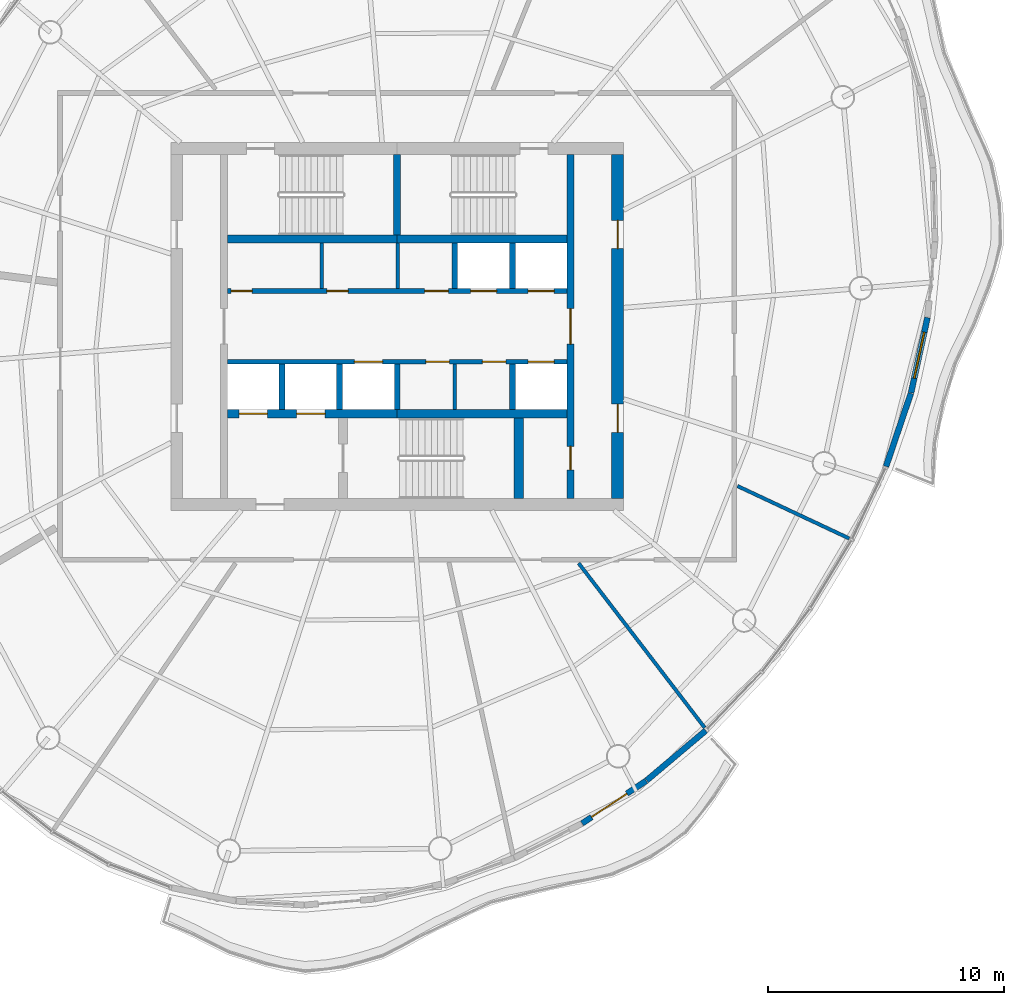
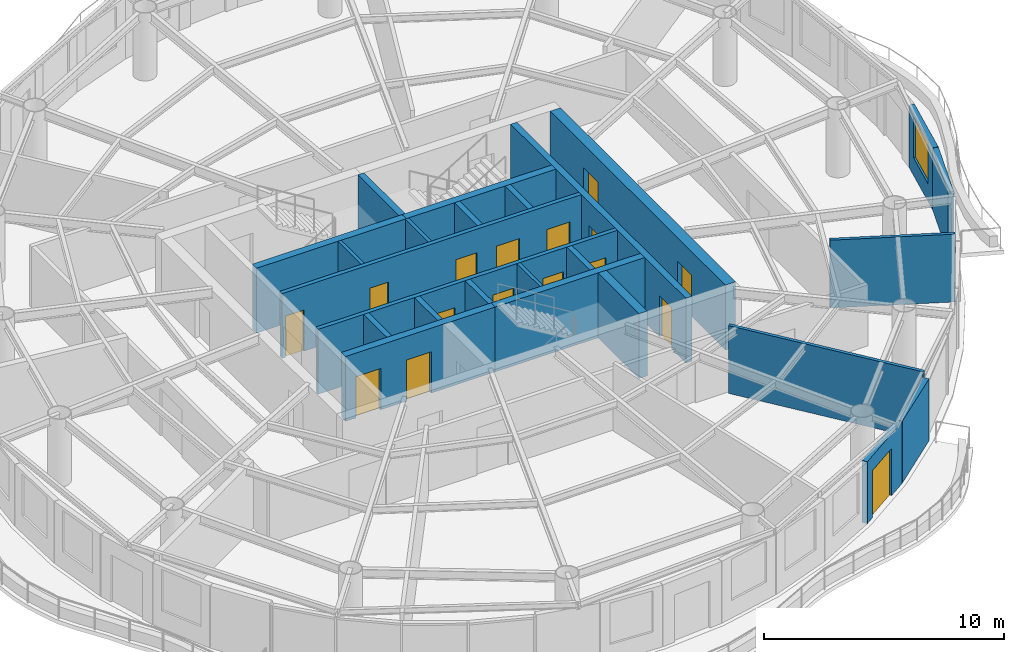
# One storey, part 9 of 14: 25 walls, 16 doors, 1 window, 17 openings.
"""IFC4 building model written with IfcOpenShell, lengths in metres."""

from ifc_helpers import new_model, si_unit, direction, frame, frame_2d, origin, place, context, subcontext, project, spatial, rectangle, extrude, material, layer, layer_set, type_object, element, fill, save


model = new_model("IFC4")

# Units and contexts
model_context = context("Model", 3, precision=1e-05, world=origin(), true_north=direction((0.0, 1.0)))
body_context = subcontext(model_context, "Body", "Model", "MODEL_VIEW")
ifc_project = project(units=[si_unit("LENGTHUNIT", "METRE"), si_unit("AREAUNIT", "SQUARE_METRE"), si_unit("VOLUMEUNIT", "CUBIC_METRE"), si_unit("PLANEANGLEUNIT", "RADIAN"), si_unit("MASSUNIT", "GRAM", prefix="KILO")], contexts=[model_context])

# Site, building, storey
site_placement = place(None, origin())
site = spatial("IfcSite", under=ifc_project, at=site_placement, CompositionType="ELEMENT")
building_placement = place(site_placement, origin())
building = spatial("IfcBuilding", under=site, at=building_placement, Name="Vermilion Reach Broadcast Tower", CompositionType="ELEMENT")
storey_placement = place(building_placement, frame((0.0, 0.0, 257.699951171875)))
storey = spatial("IfcBuildingStorey", under=building, at=storey_placement, Name="L63", CompositionType="ELEMENT", Elevation=257.699951171875)

# Wall, openings, doors
ifc_material_1 = material(Name="Concrete C50", Category="concrete")
ifc_layer_1 = layer(ifc_material_1, 0.300048828125)
ifc_layer_set_1 = layer_set([ifc_layer_1], Name="Core inner wall 300 mm Concrete C50")
wall_type_1 = type_object("IfcWallType", Name="Core inner wall 300 mm Concrete C50", PredefinedType="SHEAR", material=ifc_layer_set_1)
wall_1_placement = place(storey_placement, frame((1.35009765625, -7.300048828125, 0.0), z_axis=(0.0, 0.0, 1.0), x_axis=(0.0, 1.0, 0.0)))
wall_1 = element("IfcWall", 1, at=wall_1_placement, inside=storey, type_object=wall_type_1, Name="L63 core wall ewE", PredefinedType="SHEAR", context=body_context, shape_type="SweptSolid", body=[
    extrude(rectangle(XDim=14.60009765625, YDim=0.300048828125, at=frame_2d((7.300048828125, 0.0))), origin(), (0.0, 0.0, 1.0), 3.300048828125),
])
opening_1_placement = place(wall_1_placement, frame((1.2099609375, 0.0, 0.0)))
opening_1 = element("IfcOpeningElement", 2, at=opening_1_placement, cuts=wall_1, Name="Opening D05", PredefinedType="OPENING", context=body_context, shape_type="SweptSolid", body=[
    extrude(rectangle(XDim=1.0, YDim=2.10009765625, at=frame_2d((0.5, 1.050048828125))), frame((0.0, 0.159912109375, 0.0), z_axis=(0.0, -1.0, 0.0), x_axis=(1.0, 0.0, 0.0)), (0.0, 0.0, 1.0), 0.320068359375),
])
opening_2_placement = place(wall_1_placement, frame((6.550048828125, 0.0, 0.0)))
opening_2 = element("IfcOpeningElement", 3, at=opening_2_placement, cuts=wall_1, Name="Opening D04", PredefinedType="OPENING", context=body_context, shape_type="SweptSolid", body=[
    extrude(rectangle(XDim=1.5, YDim=2.10009765625, at=frame_2d((0.75, 1.050048828125))), frame((0.0, 0.159912109375, 0.0), z_axis=(0.0, -1.0, 0.0), x_axis=(1.0, 0.0, 0.0)), (0.0, 0.0, 1.0), 0.320068359375),
])
ifc_material_2 = material(Name="Painted steel fire door", Category="steel")
door_type_1 = type_object("IfcDoorType", Name="Lift lobby door 1500 x 2100", OperationType="DOUBLE_DOOR_SINGLE_SWING", PredefinedType="NOTDEFINED", material=ifc_material_2)
door_1_placement = place(opening_2_placement, origin())
door_1 = element("IfcDoor", 4, at=door_1_placement, inside=storey, type_object=door_type_1, Name="L63 band door BE", OperationType="DOUBLE_DOOR_SINGLE_SWING", OverallHeight=2.10009765625, OverallWidth=1.5, PredefinedType="NOTDEFINED", context=body_context, shape_type="SweptSolid", body=[
    extrude(rectangle(XDim=1.5, YDim=2.10009765625, at=frame_2d((0.75, 1.050048828125))), frame((0.0, 0.02490234375, 0.0), z_axis=(0.0, -1.0, 0.0), x_axis=(1.0, 0.0, 0.0)), (0.0, 0.0, 1.0), 0.050048828125),
])
fill(opening_2, door_1)
ifc_material_3 = material(Name="Timber door", Category="wood")
door_type_2 = type_object("IfcDoorType", Name="Room door 1000 x 2100", OperationType="NOTDEFINED", PredefinedType="NOTDEFINED", material=ifc_material_3)
door_2_placement = place(opening_1_placement, origin())
door_2 = element("IfcDoor", 5, at=door_2_placement, inside=storey, type_object=door_type_2, Name="L63 door SER", OperationType="SINGLE_SWING_LEFT", OverallHeight=2.10009765625, OverallWidth=1.0, PredefinedType="NOTDEFINED", context=body_context, shape_type="SweptSolid", body=[
    extrude(rectangle(XDim=1.0, YDim=2.10009765625, at=frame_2d((0.5, 1.050048828125))), frame((0.0, 0.02490234375, 0.0), z_axis=(0.0, -1.0, 0.0), x_axis=(1.0, 0.0, 0.0)), (0.0, 0.0, 1.0), 0.050048828125),
])
fill(opening_1, door_2)

# Walls
wall_2_placement = place(storey_placement, frame((-6.0, 3.8798828125, 0.0), z_axis=(0.0, 0.0, 1.0), x_axis=(0.0, 1.0, 0.0)))
element("IfcWall", 6, at=wall_2_placement, inside=storey, type_object=wall_type_1, Name="L63 core wall wc", PredefinedType="SHEAR", context=body_context, shape_type="SweptSolid", body=[
    extrude(rectangle(XDim=3.420166015625, YDim=0.300048828125, at=frame_2d((1.7099609375, 0.0))), origin(), (0.0, 0.0, 1.0), 3.300048828125),
])
ifc_material_4 = material(Name="Concrete C50", Category="concrete")
ifc_layer_2 = layer(ifc_material_4, 0.35009765625)
ifc_layer_set_2 = layer_set([ifc_layer_2], Name="Core inner wall 350 mm Concrete C50")
wall_type_2 = type_object("IfcWallType", Name="Core inner wall 350 mm Concrete C50", PredefinedType="SHEAR", material=ifc_layer_set_2)
for number, where, z_axis, x_axis, name in (
    (7, (-13.199951171875, 3.705078125, 0.0), (0.0, 0.0, 1.0), (1.0, 0.0, 0.0), "L63 core wall winW"),
    (8, (-6.0, 3.705078125, 0.0), (0.0, 0.0, 1.0), (1.0, 0.0, 0.0), "L63 core wall winE"),
):
    element("IfcWall", number, at=place(storey_placement, frame(where, z_axis=z_axis, x_axis=x_axis)), inside=storey, type_object=wall_type_2, Name=name, PredefinedType="SHEAR", context=body_context, shape_type="SweptSolid", body=[
        extrude(rectangle(XDim=7.199951171875, YDim=0.35009765625, at=frame_2d((3.60009765625, 0.0))), origin(), (0.0, 0.0, 1.0), 3.300048828125),
    ])

# Wall, openings, doors
wall_3_placement = place(storey_placement, frame((-13.199951171875, -3.705078125, 0.0), z_axis=(0.0, 0.0, 1.0), x_axis=(1.0, 0.0, 0.0)))
wall_3 = element("IfcWall", 9, at=wall_3_placement, inside=storey, type_object=wall_type_2, Name="L63 core wall wisW", PredefinedType="SHEAR", context=body_context, shape_type="SweptSolid", body=[
    extrude(rectangle(XDim=7.199951171875, YDim=0.35009765625, at=frame_2d((3.60009765625, 0.0))), origin(), (0.0, 0.0, 1.0), 3.300048828125),
])
opening_3_placement = place(wall_3_placement, frame((0.495849609375, 0.0, 0.0)))
opening_3 = element("IfcOpeningElement", 10, at=opening_3_placement, cuts=wall_3, Name="Opening LD1", PredefinedType="OPENING", context=body_context, shape_type="SweptSolid", body=[
    extrude(rectangle(XDim=1.199951171875, YDim=2.10009765625, at=frame_2d((0.60009765625, 1.050048828125))), frame((0.0, 0.18505859375, 0.0), z_axis=(0.0, -1.0, 0.0), x_axis=(1.0, 0.0, 0.0)), (0.0, 0.0, 1.0), 0.3701171875),
])
opening_4_placement = place(wall_3_placement, frame((2.9375, 0.0, 0.0)))
opening_4 = element("IfcOpeningElement", 11, at=opening_4_placement, cuts=wall_3, Name="Opening LD1", PredefinedType="OPENING", context=body_context, shape_type="SweptSolid", body=[
    extrude(rectangle(XDim=1.199951171875, YDim=2.10009765625, at=frame_2d((0.60009765625, 1.050048828125))), frame((0.0, 0.18505859375, 0.0), z_axis=(0.0, -1.0, 0.0), x_axis=(1.0, 0.0, 0.0)), (0.0, 0.0, 1.0), 0.3701171875),
])
ifc_material_5 = material(Name="Stainless steel", Category="steel")
door_type_3 = type_object("IfcDoorType", Name="Landing door 1200 x 2100", OperationType="DOUBLE_DOOR_SLIDING", PredefinedType="NOTDEFINED", material=ifc_material_5)
door_3_placement = place(opening_3_placement, origin())
door_3 = element("IfcDoor", 12, at=door_3_placement, inside=storey, type_object=door_type_3, Name="L63 landing door FF1", OperationType="DOUBLE_DOOR_SLIDING", OverallHeight=2.10009765625, OverallWidth=1.199951171875, PredefinedType="NOTDEFINED", context=body_context, shape_type="SweptSolid", body=[
    extrude(rectangle(XDim=1.199951171875, YDim=2.10009765625, at=frame_2d((0.60009765625, 1.050048828125))), frame((0.0, 0.02490234375, 0.0), z_axis=(0.0, -1.0, 0.0), x_axis=(1.0, 0.0, 0.0)), (0.0, 0.0, 1.0), 0.050048828125),
])
fill(opening_3, door_3)
door_4_placement = place(opening_4_placement, origin())
door_4 = element("IfcDoor", 13, at=door_4_placement, inside=storey, type_object=door_type_3, Name="L63 landing door FF2", OperationType="DOUBLE_DOOR_SLIDING", OverallHeight=2.10009765625, OverallWidth=1.199951171875, PredefinedType="NOTDEFINED", context=body_context, shape_type="SweptSolid", body=[
    extrude(rectangle(XDim=1.199951171875, YDim=2.10009765625, at=frame_2d((0.60009765625, 1.050048828125))), frame((0.0, 0.02490234375, 0.0), z_axis=(0.0, -1.0, 0.0), x_axis=(1.0, 0.0, 0.0)), (0.0, 0.0, 1.0), 0.050048828125),
])
fill(opening_4, door_4)

# Walls
wall_4_placement = place(storey_placement, frame((-6.0, -3.705078125, 0.0), z_axis=(0.0, 0.0, 1.0), x_axis=(1.0, 0.0, 0.0)))
element("IfcWall", 14, at=wall_4_placement, inside=storey, type_object=wall_type_2, Name="L63 core wall wisE", PredefinedType="SHEAR", context=body_context, shape_type="SweptSolid", body=[
    extrude(rectangle(XDim=7.199951171875, YDim=0.35009765625, at=frame_2d((3.60009765625, 0.0))), origin(), (0.0, 0.0, 1.0), 3.300048828125),
])
ifc_material_6 = material(Name="Concrete C50", Category="concrete")
ifc_layer_3 = layer(ifc_material_6, 0.39990234375)
ifc_layer_set_3 = layer_set([ifc_layer_3], Name="Core inner wall 400 mm Concrete C50")
wall_type_3 = type_object("IfcWallType", Name="Core inner wall 400 mm Concrete C50", PredefinedType="SHEAR", material=ifc_layer_set_3)
wall_5_placement = place(storey_placement, frame((-0.85009765625, -3.8798828125, 0.0), z_axis=(0.0, 0.0, 1.0), x_axis=(0.0, -1.0, 0.0)))
element("IfcWall", 15, at=wall_5_placement, inside=storey, type_object=wall_type_3, Name="L63 core wall wb", PredefinedType="SHEAR", context=body_context, shape_type="SweptSolid", body=[
    extrude(rectangle(XDim=3.420166015625, YDim=0.39990234375, at=frame_2d((1.7099609375, 0.0))), origin(), (0.0, 0.0, 1.0), 3.300048828125),
])

# Wall, openings, doors
ifc_material_7 = material(Name="Concrete C50", Category="concrete")
ifc_layer_4 = layer(ifc_material_7, 0.5)
ifc_layer_set_4 = layer_set([ifc_layer_4], Name="Core outer wall 500 mm Concrete C50")
wall_type_4 = type_object("IfcWallType", Name="Core outer wall 500 mm Concrete C50", PredefinedType="SHEAR", material=ifc_layer_set_4)
wall_6_placement = place(storey_placement, frame((3.35009765625, -7.300048828125, 0.0), z_axis=(0.0, 0.0, 1.0), x_axis=(0.0, 1.0, 0.0)))
wall_6 = element("IfcWall", 16, at=wall_6_placement, inside=storey, type_object=wall_type_4, Name="L63 core wall oe", PredefinedType="SHEAR", context=body_context, shape_type="SweptSolid", body=[
    extrude(rectangle(XDim=14.60009765625, YDim=0.5, at=frame_2d((7.300048828125, 0.0))), origin(), (0.0, 0.0, 1.0), 3.300048828125),
])
opening_5_placement = place(wall_6_placement, frame((2.800048828125, 0.0, 0.0)))
opening_5 = element("IfcOpeningElement", 17, at=opening_5_placement, cuts=wall_6, Name="Opening D03", PredefinedType="OPENING", context=body_context, shape_type="SweptSolid", body=[
    extrude(rectangle(XDim=1.199951171875, YDim=2.10009765625, at=frame_2d((0.60009765625, 1.050048828125))), frame((0.0, 0.260009765625, 0.0), z_axis=(0.0, -1.0, 0.0), x_axis=(1.0, 0.0, 0.0)), (0.0, 0.0, 1.0), 0.52001953125),
])
opening_6_placement = place(wall_6_placement, frame((10.60009765625, 0.0, 0.0)))
opening_6 = element("IfcOpeningElement", 18, at=opening_6_placement, cuts=wall_6, Name="Opening D03", PredefinedType="OPENING", context=body_context, shape_type="SweptSolid", body=[
    extrude(rectangle(XDim=1.199951171875, YDim=2.10009765625, at=frame_2d((0.60009765625, 1.050048828125))), frame((0.0, 0.260009765625, 0.0), z_axis=(0.0, -1.0, 0.0), x_axis=(1.0, 0.0, 0.0)), (0.0, 0.0, 1.0), 0.52001953125),
])
ifc_material_8 = material(Name="Painted steel fire door", Category="steel")
door_type_4 = type_object("IfcDoorType", Name="Core lobby door 1200 x 2100", OperationType="DOUBLE_DOOR_SINGLE_SWING", PredefinedType="NOTDEFINED", material=ifc_material_8)
door_5_placement = place(opening_5_placement, origin())
door_5 = element("IfcDoor", 19, at=door_5_placement, inside=storey, type_object=door_type_4, Name="L63 slot door E0", OperationType="DOUBLE_DOOR_SINGLE_SWING", OverallHeight=2.10009765625, OverallWidth=1.199951171875, PredefinedType="NOTDEFINED", context=body_context, shape_type="SweptSolid", body=[
    extrude(rectangle(XDim=1.199951171875, YDim=2.10009765625, at=frame_2d((0.60009765625, 1.050048828125))), frame((0.0, 0.02490234375, 0.0), z_axis=(0.0, -1.0, 0.0), x_axis=(1.0, 0.0, 0.0)), (0.0, 0.0, 1.0), 0.050048828125),
])
fill(opening_5, door_5)
door_6_placement = place(opening_6_placement, origin())
door_6 = element("IfcDoor", 20, at=door_6_placement, inside=storey, type_object=door_type_4, Name="L63 slot door E1", OperationType="DOUBLE_DOOR_SINGLE_SWING", OverallHeight=2.10009765625, OverallWidth=1.199951171875, PredefinedType="NOTDEFINED", context=body_context, shape_type="SweptSolid", body=[
    extrude(rectangle(XDim=1.199951171875, YDim=2.10009765625, at=frame_2d((0.60009765625, 1.050048828125))), frame((0.0, 0.02490234375, 0.0), z_axis=(0.0, -1.0, 0.0), x_axis=(1.0, 0.0, 0.0)), (0.0, 0.0, 1.0), 0.050048828125),
])
fill(opening_6, door_6)

# Walls
ifc_material_9 = material(Name="Masonry block", Category="masonry")
ifc_layer_5 = layer(ifc_material_9, 0.14990234375)
ifc_layer_set_5 = layer_set([ifc_layer_5], Name="Core partition wall 150 mm Masonry block")
wall_type_5 = type_object("IfcWallType", Name="Core partition wall 150 mm Masonry block", PredefinedType="PARTITIONING", material=ifc_layer_set_5)
for number, where, z_axis, x_axis, name in (
    (21, (-9.202880859375, 1.60009765625, 0.0), (0.0, 0.0, 1.0), (0.0, 1.0, 0.0), "L63 core wall prN-3203"),
    (22, (-5.96728515625, 1.60009765625, 0.0), (0.0, 0.0, 1.0), (0.0, 1.0, 0.0), "L63 core wall prN33"),
    (23, (-3.558349609375, -1.60009765625, 0.0), (0.0, 0.0, 1.0), (0.0, -1.0, 0.0), "L63 core wall prS2442"),
):
    element("IfcWall", number, at=place(storey_placement, frame(where, z_axis=z_axis, x_axis=x_axis)), inside=storey, type_object=wall_type_5, Name=name, PredefinedType="PARTITIONING", context=body_context, shape_type="SweptSolid", body=[
        extrude(rectangle(XDim=1.929931640625, YDim=0.14990234375, at=frame_2d((0.96484375, 0.0))), origin(), (0.0, 0.0, 1.0), 3.300048828125),
    ])

# Wall, openings, doors
ifc_material_10 = material(Name="Concrete C50", Category="concrete")
ifc_layer_6 = layer(ifc_material_10, 0.199951171875)
ifc_layer_set_6 = layer_set([ifc_layer_6], Name="Core shaft wall 200 mm Concrete C50")
wall_type_6 = type_object("IfcWallType", Name="Core shaft wall 200 mm Concrete C50", PredefinedType="SHEAR", material=ifc_layer_set_6)
wall_7_placement = place(storey_placement, frame((-13.199951171875, 1.5, 0.0), z_axis=(0.0, 0.0, 1.0), x_axis=(1.0, 0.0, 0.0)))
wall_7 = element("IfcWall", 24, at=wall_7_placement, inside=storey, type_object=wall_type_6, Name="L63 core wall fn", PredefinedType="SHEAR", context=body_context, shape_type="SweptSolid", body=[
    extrude(rectangle(XDim=14.39990234375, YDim=0.199951171875, at=frame_2d((7.199951171875, 0.0))), origin(), (0.0, 0.0, 1.0), 3.300048828125),
])
opening_7_placement = place(wall_7_placement, frame((10.3125, 0.0, 0.0)))
opening_7 = element("IfcOpeningElement", 25, at=opening_7_placement, cuts=wall_7, Name="Opening LD2", PredefinedType="OPENING", context=body_context, shape_type="SweptSolid", body=[
    extrude(rectangle(XDim=1.10009765625, YDim=2.10009765625, at=frame_2d((0.550048828125, 1.050048828125))), frame((0.0, 0.10986328125, 0.0), z_axis=(0.0, -1.0, 0.0), x_axis=(1.0, 0.0, 0.0)), (0.0, 0.0, 1.0), 0.219970703125),
])
opening_8_placement = place(wall_7_placement, frame((12.754150390625, 0.0, 0.0)))
opening_8 = element("IfcOpeningElement", 26, at=opening_8_placement, cuts=wall_7, Name="Opening LD2", PredefinedType="OPENING", context=body_context, shape_type="SweptSolid", body=[
    extrude(rectangle(XDim=1.10009765625, YDim=2.10009765625, at=frame_2d((0.550048828125, 1.050048828125))), frame((0.0, 0.10986328125, 0.0), z_axis=(0.0, -1.0, 0.0), x_axis=(1.0, 0.0, 0.0)), (0.0, 0.0, 1.0), 0.219970703125),
])
opening_9_placement = place(wall_7_placement, frame((0.14990234375, 0.0, 0.0)))
opening_9 = element("IfcOpeningElement", 27, at=opening_9_placement, cuts=wall_7, Name="Opening D06", PredefinedType="OPENING", context=body_context, shape_type="SweptSolid", body=[
    extrude(rectangle(XDim=0.89990234375, YDim=2.10009765625, at=frame_2d((0.449951171875, 1.050048828125))), frame((0.0, 0.10986328125, 0.0), z_axis=(0.0, -1.0, 0.0), x_axis=(1.0, 0.0, 0.0)), (0.0, 0.0, 1.0), 0.219970703125),
])
opening_10_placement = place(wall_7_placement, frame((4.221923828125, 0.0, 0.0)))
opening_10 = element("IfcOpeningElement", 28, at=opening_10_placement, cuts=wall_7, Name="Opening D06", PredefinedType="OPENING", context=body_context, shape_type="SweptSolid", body=[
    extrude(rectangle(XDim=0.89990234375, YDim=2.10009765625, at=frame_2d((0.449951171875, 1.050048828125))), frame((0.0, 0.10986328125, 0.0), z_axis=(0.0, -1.0, 0.0), x_axis=(1.0, 0.0, 0.0)), (0.0, 0.0, 1.0), 0.219970703125),
])
opening_11_placement = place(wall_7_placement, frame((8.36669921875, 0.0, 0.0)))
opening_11 = element("IfcOpeningElement", 29, at=opening_11_placement, cuts=wall_7, Name="Opening D11", PredefinedType="OPENING", context=body_context, shape_type="SweptSolid", body=[
    extrude(rectangle(XDim=1.0, YDim=2.10009765625, at=frame_2d((0.5, 1.050048828125))), frame((0.0, 0.10986328125, 0.0), z_axis=(0.0, -1.0, 0.0), x_axis=(1.0, 0.0, 0.0)), (0.0, 0.0, 1.0), 0.219970703125),
])
ifc_material_11 = material(Name="Stainless steel", Category="steel")
door_type_5 = type_object("IfcDoorType", Name="Landing door 1100 x 2100", OperationType="DOUBLE_DOOR_SLIDING", PredefinedType="NOTDEFINED", material=ifc_material_11)
door_7_placement = place(opening_7_placement, origin())
door_7 = element("IfcDoor", 30, at=door_7_placement, inside=storey, type_object=door_type_5, Name="L63 landing door HR1", OperationType="DOUBLE_DOOR_SLIDING", OverallHeight=2.10009765625, OverallWidth=1.10009765625, PredefinedType="NOTDEFINED", context=body_context, shape_type="SweptSolid", body=[
    extrude(rectangle(XDim=1.10009765625, YDim=2.10009765625, at=frame_2d((0.550048828125, 1.050048828125))), frame((0.0, 0.02490234375, 0.0), z_axis=(0.0, -1.0, 0.0), x_axis=(1.0, 0.0, 0.0)), (0.0, 0.0, 1.0), 0.050048828125),
])
fill(opening_7, door_7)
door_8_placement = place(opening_8_placement, origin())
door_8 = element("IfcDoor", 31, at=door_8_placement, inside=storey, type_object=door_type_5, Name="L63 landing door HR2", OperationType="DOUBLE_DOOR_SLIDING", OverallHeight=2.10009765625, OverallWidth=1.10009765625, PredefinedType="NOTDEFINED", context=body_context, shape_type="SweptSolid", body=[
    extrude(rectangle(XDim=1.10009765625, YDim=2.10009765625, at=frame_2d((0.550048828125, 1.050048828125))), frame((0.0, 0.02490234375, 0.0), z_axis=(0.0, -1.0, 0.0), x_axis=(1.0, 0.0, 0.0)), (0.0, 0.0, 1.0), 0.050048828125),
])
fill(opening_8, door_8)
ifc_material_12 = material(Name="Painted steel fire door", Category="steel")
door_type_6 = type_object("IfcDoorType", Name="Services room door 1000 x 2100", OperationType="NOTDEFINED", PredefinedType="NOTDEFINED", material=ifc_material_12)
door_9_placement = place(opening_11_placement, origin())
door_9 = element("IfcDoor", 32, at=door_9_placement, inside=storey, type_object=door_type_6, Name="L63 door Electrical room", OperationType="SINGLE_SWING_RIGHT", OverallHeight=2.10009765625, OverallWidth=1.0, PredefinedType="NOTDEFINED", context=body_context, shape_type="SweptSolid", body=[
    extrude(rectangle(XDim=1.0, YDim=2.10009765625, at=frame_2d((0.5, 1.050048828125))), frame((0.0, 0.02490234375, 0.0), z_axis=(0.0, -1.0, 0.0), x_axis=(1.0, 0.0, 0.0)), (0.0, 0.0, 1.0), 0.050048828125),
])
fill(opening_11, door_9)
ifc_material_13 = material(Name="Timber door", Category="wood")
door_type_7 = type_object("IfcDoorType", Name="WC door 900 x 2100", OperationType="NOTDEFINED", PredefinedType="NOTDEFINED", material=ifc_material_13)
door_10_placement = place(opening_9_placement, origin())
door_10 = element("IfcDoor", 33, at=door_10_placement, inside=storey, type_object=door_type_7, Name="L63 door Female WC", OperationType="SINGLE_SWING_LEFT", OverallHeight=2.10009765625, OverallWidth=0.89990234375, PredefinedType="NOTDEFINED", context=body_context, shape_type="SweptSolid", body=[
    extrude(rectangle(XDim=0.89990234375, YDim=2.10009765625, at=frame_2d((0.449951171875, 1.050048828125))), frame((0.0, 0.02490234375, 0.0), z_axis=(0.0, -1.0, 0.0), x_axis=(1.0, 0.0, 0.0)), (0.0, 0.0, 1.0), 0.050048828125),
])
fill(opening_9, door_10)
door_11_placement = place(opening_10_placement, origin())
door_11 = element("IfcDoor", 34, at=door_11_placement, inside=storey, type_object=door_type_7, Name="L63 door Male WC", OperationType="SINGLE_SWING_LEFT", OverallHeight=2.10009765625, OverallWidth=0.89990234375, PredefinedType="NOTDEFINED", context=body_context, shape_type="SweptSolid", body=[
    extrude(rectangle(XDim=0.89990234375, YDim=2.10009765625, at=frame_2d((0.449951171875, 1.050048828125))), frame((0.0, 0.02490234375, 0.0), z_axis=(0.0, -1.0, 0.0), x_axis=(1.0, 0.0, 0.0)), (0.0, 0.0, 1.0), 0.050048828125),
])
fill(opening_10, door_11)

wall_8_placement = place(storey_placement, frame((1.199951171875, -1.5, 0.0), z_axis=(0.0, 0.0, 1.0), x_axis=(-1.0, 0.0, 0.0)))
wall_8 = element("IfcWall", 35, at=wall_8_placement, inside=storey, type_object=wall_type_6, Name="L63 core wall fs", PredefinedType="SHEAR", context=body_context, shape_type="SweptSolid", body=[
    extrude(rectangle(XDim=14.39990234375, YDim=0.199951171875, at=frame_2d((7.199951171875, 0.0))), origin(), (0.0, 0.0, 1.0), 3.300048828125),
])
opening_12_placement = place(wall_8_placement, frame((7.82080078125, 0.0, 0.0)))
opening_12 = element("IfcOpeningElement", 36, at=opening_12_placement, cuts=wall_8, Name="Opening LD1", PredefinedType="OPENING", context=body_context, shape_type="SweptSolid", body=[
    extrude(rectangle(XDim=1.199951171875, YDim=2.10009765625, at=frame_2d((0.60009765625, 1.050048828125))), frame((0.0, 0.10986328125, 0.0), z_axis=(0.0, -1.0, 0.0), x_axis=(1.0, 0.0, 0.0)), (0.0, 0.0, 1.0), 0.219970703125),
])
opening_13_placement = place(wall_8_placement, frame((0.5458984375, 0.0, 0.0)))
opening_13 = element("IfcOpeningElement", 37, at=opening_13_placement, cuts=wall_8, Name="Opening LD2", PredefinedType="OPENING", context=body_context, shape_type="SweptSolid", body=[
    extrude(rectangle(XDim=1.10009765625, YDim=2.10009765625, at=frame_2d((0.550048828125, 1.050048828125))), frame((0.0, 0.10986328125, 0.0), z_axis=(0.0, -1.0, 0.0), x_axis=(1.0, 0.0, 0.0)), (0.0, 0.0, 1.0), 0.219970703125),
])
opening_14_placement = place(wall_8_placement, frame((4.9833984375, 0.0, 0.0)))
opening_14 = element("IfcOpeningElement", 38, at=opening_14_placement, cuts=wall_8, Name="Opening D07", PredefinedType="OPENING", context=body_context, shape_type="SweptSolid", body=[
    extrude(rectangle(XDim=1.0, YDim=2.10009765625, at=frame_2d((0.5, 1.050048828125))), frame((0.0, 0.10986328125, 0.0), z_axis=(0.0, -1.0, 0.0), x_axis=(1.0, 0.0, 0.0)), (0.0, 0.0, 1.0), 0.219970703125),
])
opening_15_placement = place(wall_8_placement, frame((2.591552734375, 0.0, 0.0)))
opening_15 = element("IfcOpeningElement", 39, at=opening_15_placement, cuts=wall_8, Name="Opening D10", PredefinedType="OPENING", context=body_context, shape_type="SweptSolid", body=[
    extrude(rectangle(XDim=1.0, YDim=2.10009765625, at=frame_2d((0.5, 1.050048828125))), frame((0.0, 0.10986328125, 0.0), z_axis=(0.0, -1.0, 0.0), x_axis=(1.0, 0.0, 0.0)), (0.0, 0.0, 1.0), 0.219970703125),
])
ifc_material_14 = material(Name="Timber door", Category="wood")
door_type_8 = type_object("IfcDoorType", Name="Accessible WC door 1000 x 2100", OperationType="NOTDEFINED", PredefinedType="NOTDEFINED", material=ifc_material_14)
door_12_placement = place(opening_14_placement, origin())
door_12 = element("IfcDoor", 40, at=door_12_placement, inside=storey, type_object=door_type_8, Name="L63 door Accessible WC", OperationType="SINGLE_SWING_LEFT", OverallHeight=2.10009765625, OverallWidth=1.0, PredefinedType="NOTDEFINED", context=body_context, shape_type="SweptSolid", body=[
    extrude(rectangle(XDim=1.0, YDim=2.10009765625, at=frame_2d((0.5, 1.050048828125))), frame((0.0, 0.02490234375, 0.0), z_axis=(0.0, -1.0, 0.0), x_axis=(1.0, 0.0, 0.0)), (0.0, 0.0, 1.0), 0.050048828125),
])
fill(opening_14, door_12)
door_13_placement = place(opening_13_placement, origin())
door_13 = element("IfcDoor", 41, at=door_13_placement, inside=storey, type_object=door_type_5, Name="L63 landing door HR3", OperationType="DOUBLE_DOOR_SLIDING", OverallHeight=2.10009765625, OverallWidth=1.10009765625, PredefinedType="NOTDEFINED", context=body_context, shape_type="SweptSolid", body=[
    extrude(rectangle(XDim=1.10009765625, YDim=2.10009765625, at=frame_2d((0.550048828125, 1.050048828125))), frame((0.0, 0.02490234375, 0.0), z_axis=(0.0, -1.0, 0.0), x_axis=(1.0, 0.0, 0.0)), (0.0, 0.0, 1.0), 0.050048828125),
])
fill(opening_13, door_13)
door_14_placement = place(opening_12_placement, origin())
door_14 = element("IfcDoor", 42, at=door_14_placement, inside=storey, type_object=door_type_3, Name="L63 landing door SV1", OperationType="DOUBLE_DOOR_SLIDING", OverallHeight=2.10009765625, OverallWidth=1.199951171875, PredefinedType="NOTDEFINED", context=body_context, shape_type="SweptSolid", body=[
    extrude(rectangle(XDim=1.199951171875, YDim=2.10009765625, at=frame_2d((0.60009765625, 1.050048828125))), frame((0.0, 0.02490234375, 0.0), z_axis=(0.0, -1.0, 0.0), x_axis=(1.0, 0.0, 0.0)), (0.0, 0.0, 1.0), 0.050048828125),
])
fill(opening_12, door_14)
ifc_material_15 = material(Name="Timber door", Category="wood")
door_type_9 = type_object("IfcDoorType", Name="WC lobby door 1000 x 2100", OperationType="NOTDEFINED", PredefinedType="NOTDEFINED", material=ifc_material_15)
door_15_placement = place(opening_15_placement, origin())
door_15 = element("IfcDoor", 43, at=door_15_placement, inside=storey, type_object=door_type_9, Name="L63 door WC lobby", OperationType="SINGLE_SWING_LEFT", OverallHeight=2.10009765625, OverallWidth=1.0, PredefinedType="NOTDEFINED", context=body_context, shape_type="SweptSolid", body=[
    extrude(rectangle(XDim=1.0, YDim=2.10009765625, at=frame_2d((0.5, 1.050048828125))), frame((0.0, 0.02490234375, 0.0), z_axis=(0.0, -1.0, 0.0), x_axis=(1.0, 0.0, 0.0)), (0.0, 0.0, 1.0), 0.050048828125),
])
fill(opening_15, door_15)

# Walls
ifc_material_16 = material(Name="Concrete C50", Category="concrete")
ifc_layer_7 = layer(ifc_material_16, 0.25)
ifc_layer_set_7 = layer_set([ifc_layer_7], Name="Core shaft wall 250 mm Concrete C50")
wall_type_7 = type_object("IfcWallType", Name="Core shaft wall 250 mm Concrete C50", PredefinedType="SHEAR", material=ifc_layer_set_7)
for number, where, z_axis, x_axis, name in (
    (44, (-3.558349609375, 1.60009765625, 0.0), (0.0, 0.0, 1.0), (0.0, 1.0, 0.0), "L63 core wall psN3"),
    (45, (-1.11669921875, 1.60009765625, 0.0), (0.0, 0.0, 1.0), (0.0, 1.0, 0.0), "L63 core wall psN4"),
    (46, (-10.88330078125, -1.60009765625, 0.0), (0.0, 0.0, 1.0), (0.0, -1.0, 0.0), "L63 core wall psS0"),
    (47, (-8.441650390625, -1.60009765625, 0.0), (0.0, 0.0, 1.0), (0.0, -1.0, 0.0), "L63 core wall psS1"),
    (48, (-6.0, -1.60009765625, 0.0), (0.0, 0.0, 1.0), (0.0, -1.0, 0.0), "L63 core wall psS2"),
    (49, (-1.11669921875, -1.60009765625, 0.0), (0.0, 0.0, 1.0), (0.0, -1.0, 0.0), "L63 core wall psS4"),
):
    element("IfcWall", number, at=place(storey_placement, frame(where, z_axis=z_axis, x_axis=x_axis)), inside=storey, type_object=wall_type_7, Name=name, PredefinedType="SHEAR", context=body_context, shape_type="SweptSolid", body=[
        extrude(rectangle(XDim=1.929931640625, YDim=0.25, at=frame_2d((0.96484375, 0.0))), origin(), (0.0, 0.0, 1.0), 3.300048828125),
    ])
ifc_material_17 = material(Name="Lightweight concrete block, plastered", Category="concrete")
ifc_layer_8 = layer(ifc_material_17, 0.14990234375)
ifc_layer_set_8 = layer_set([ifc_layer_8], Name="Partition 150 lightweight block")
wall_type_8 = type_object("IfcWallType", Name="Partition 150 lightweight block", PredefinedType="PARTITIONING", material=ifc_layer_set_8)
wall_9_placement = place(storey_placement, frame((7.042236328125, -17.021728515625, 0.0), z_axis=(0.0, 0.0, 1.0), x_axis=(-0.60820873777, 0.793777129489, 0.0)))
element("IfcWall", 50, at=wall_9_placement, inside=storey, type_object=wall_type_8, Name="Partition 63.07", PredefinedType="PARTITIONING", context=body_context, shape_type="SweptSolid", body=[
    extrude(rectangle(XDim=8.78857421875, YDim=0.14990234375, at=frame_2d((4.394287109375, 0.0))), origin(), (0.0, 0.0, 1.0), 3.449951171875),
])
wall_10_placement = place(storey_placement, frame((13.176513671875, -8.99658203125, 0.0), z_axis=(0.0, 0.0, 1.0), x_axis=(-0.90531006568, 0.424751321337, 0.0)))
element("IfcWall", 51, at=wall_10_placement, inside=storey, type_object=wall_type_8, Name="Partition 63.08", PredefinedType="PARTITIONING", context=body_context, shape_type="SweptSolid", body=[
    extrude(rectangle(XDim=5.240966796875, YDim=0.14990234375, at=frame_2d((2.62060546875, 0.0))), origin(), (0.0, 0.0, 1.0), 3.449951171875),
])

# Wall, opening, door
ifc_material_18 = material(Name="Terracotta rainscreen cladding", Category="masonry")
ifc_layer_9 = layer(ifc_material_18, 0.25)
ifc_layer_set_9 = layer_set([ifc_layer_9], Name="Terracotta rainscreen wall 250")
wall_type_9 = type_object("IfcWallType", Name="Terracotta rainscreen wall 250", PredefinedType="SOLIDWALL", material=ifc_layer_set_9)
wall_11_placement = place(storey_placement, frame((1.845458984375, -21.084228515625, 0.0), z_axis=(0.0, 0.0, 1.0), x_axis=(0.832199778985, 0.554475903767, 0.0)))
wall_11 = element("IfcWall", 52, at=wall_11_placement, inside=storey, type_object=wall_type_9, Name="External wall L63 32", PredefinedType="SOLIDWALL", context=body_context, shape_type="SweptSolid", body=[
    extrude(rectangle(XDim=3.265869140625, YDim=0.25, at=frame_2d((1.6328125, 0.0))), origin(), (0.0, 0.0, 1.0), 3.150146484375),
])
opening_16_placement = place(wall_11_placement, frame((0.48291015625, 0.0, 0.0)))
opening_16 = element("IfcOpeningElement", 53, at=opening_16_placement, cuts=wall_11, Name="Opening D70", PredefinedType="OPENING", context=body_context, shape_type="SweptSolid", body=[
    extrude(rectangle(XDim=1.800048828125, YDim=2.39990234375, at=frame_2d((0.89990234375, 1.199951171875))), frame((0.0, 0.135009765625, 0.0), z_axis=(0.0, -1.0, 0.0), x_axis=(1.0, 0.0, 0.0)), (0.0, 0.0, 1.0), 0.27001953125),
])
ifc_material_19 = material(Name="Low-e laminated clear glass in aluminium frame", Category="aluminium")
door_type_10 = type_object("IfcDoorType", Name="Balcony sliding door 1800 x 2400", OperationType="DOUBLE_DOOR_SLIDING", PredefinedType="DOOR", material=ifc_material_19)
door_16_placement = place(opening_16_placement, origin())
door_16 = element("IfcDoor", 54, at=door_16_placement, inside=storey, type_object=door_type_10, Name="Balcony door L63 run 08", OperationType="DOUBLE_DOOR_SLIDING", OverallHeight=2.39990234375, OverallWidth=1.800048828125, PredefinedType="DOOR", context=body_context, shape_type="SweptSolid", body=[
    extrude(rectangle(XDim=1.800048828125, YDim=2.39990234375, at=frame_2d((0.89990234375, 1.199951171875))), frame((0.0, 0.02490234375, 0.0), z_axis=(0.0, -1.0, 0.0), x_axis=(1.0, 0.0, 0.0)), (0.0, 0.0, 1.0), 0.050048828125),
])
fill(opening_16, door_16)

# Walls
for number, where, z_axis, x_axis, name in (
    (55, (4.580810546875, -19.26025390625, 0.0), (0.0, 0.0, 1.0), (0.764538162014, 0.644578465995, 0.0), "External wall L63 33"),
    (56, (14.736572265625, -5.941162109375, 0.0), (0.0, 0.0, 1.0), (0.32181056212, 0.946804077995, 0.0), "External wall L63 38"),
):
    element("IfcWall", number, at=place(storey_placement, frame(where, z_axis=z_axis, x_axis=x_axis)), inside=storey, type_object=wall_type_9, Name=name, PredefinedType="SOLIDWALL", context=body_context, shape_type="SweptSolid", body=[
        extrude(rectangle(XDim=3.276611328125, YDim=0.25, at=frame_2d((1.63818359375, 0.0))), origin(), (0.0, 0.0, 1.0), 3.150146484375),
    ])

# Wall, opening, window
wall_12_placement = place(storey_placement, frame((15.796875, -2.817626953125, 0.0), z_axis=(0.0, 0.0, 1.0), x_axis=(0.213366888583, 0.97697214436, 0.0)))
wall_12 = element("IfcWall", 57, at=wall_12_placement, inside=storey, type_object=wall_type_9, Name="External wall L63 39", PredefinedType="SOLIDWALL", context=body_context, shape_type="SweptSolid", body=[
    extrude(rectangle(XDim=3.265625, YDim=0.25, at=frame_2d((1.6328125, 0.0))), origin(), (0.0, 0.0, 1.0), 3.150146484375),
])
opening_17_placement = place(wall_12_placement, frame((0.6328125, 0.0, 0.89990234375)))
opening_17 = element("IfcOpeningElement", 58, at=opening_17_placement, cuts=wall_12, Name="Opening W03", PredefinedType="OPENING", context=body_context, shape_type="SweptSolid", body=[
    extrude(rectangle(XDim=2.0, YDim=2.10009765625, at=frame_2d((1.0, 1.050048828125))), frame((0.0, 0.135009765625, 0.0), z_axis=(0.0, -1.0, 0.0), x_axis=(1.0, 0.0, 0.0)), (0.0, 0.0, 1.0), 0.27001953125),
])
ifc_material_20 = material(Name="Low-e laminated clear glass in aluminium frame", Category="aluminium")
window_type = type_object("IfcWindowType", Name="Punched window 2000 x 2100 sill 900", PartitioningType="SINGLE_PANEL", PredefinedType="WINDOW", material=ifc_material_20)
window_placement = place(opening_17_placement, origin())
window = element("IfcWindow", 59, at=window_placement, inside=storey, type_object=window_type, Name="Window L63 39", OverallHeight=2.10009765625, OverallWidth=2.0, PartitioningType="SINGLE_PANEL", PredefinedType="WINDOW", context=body_context, shape_type="SweptSolid", body=[
    extrude(rectangle(XDim=2.0, YDim=2.10009765625, at=frame_2d((1.0, 1.050048828125))), frame((0.0, 0.030029296875, 0.0), z_axis=(0.0, -1.0, 0.0), x_axis=(1.0, 0.0, 0.0)), (0.0, 0.0, 1.0), 0.06005859375),
])
fill(opening_17, window)

save(model, "model.ifc")
